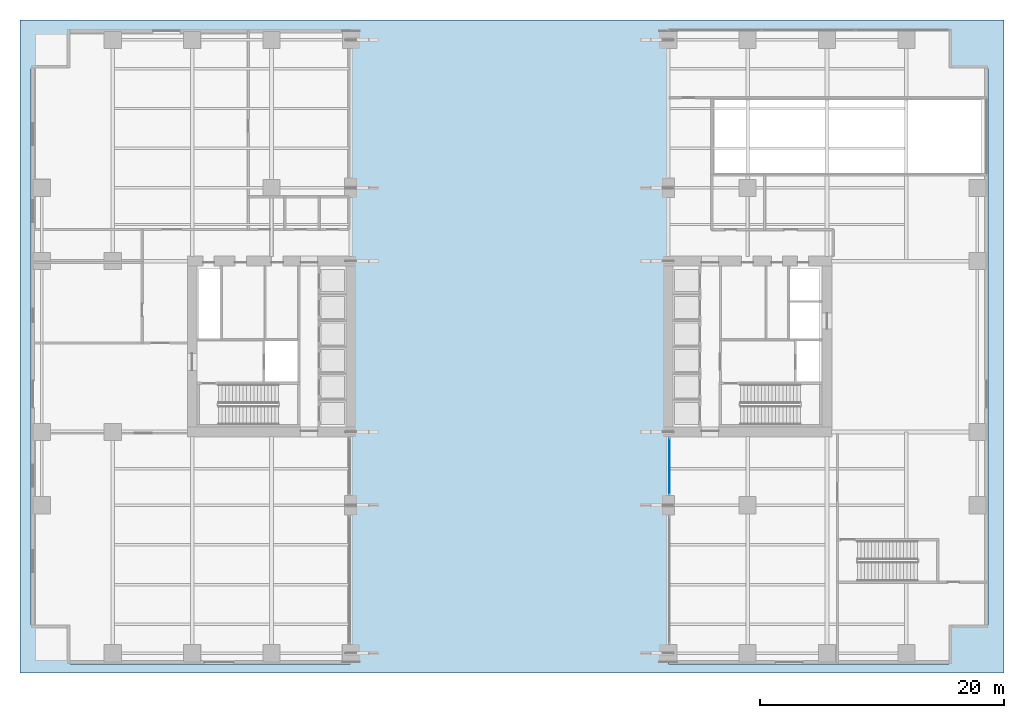
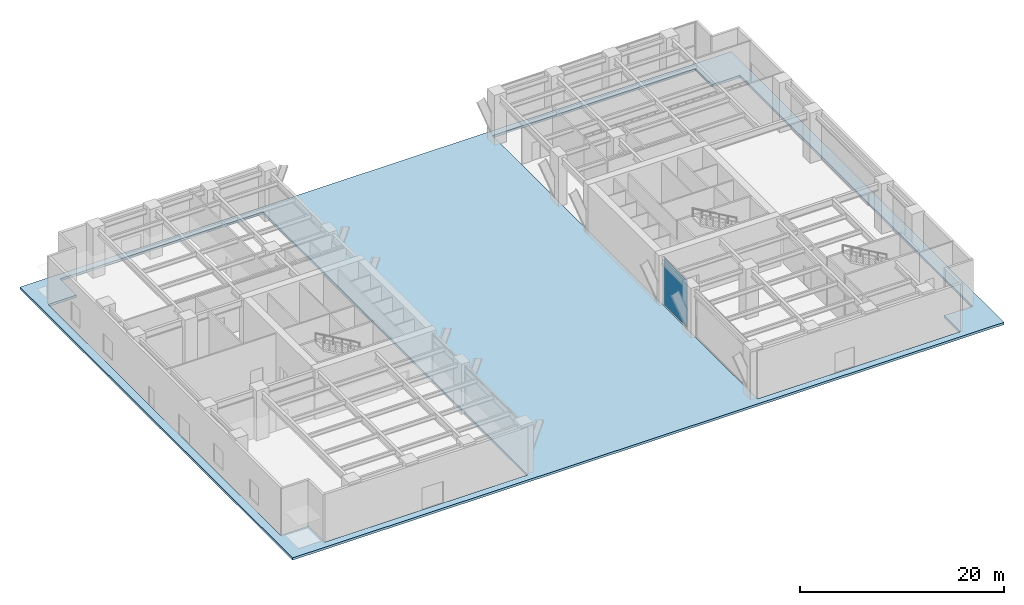
# One storey, part 10 of 20: 1 plate, 1 slab, 1 element without a shape of its own.
"""IFC4 building model written with IfcOpenShell, lengths in metres."""

from ifc_helpers import new_model, si_unit, direction, frame, origin, origin_2d, place, context, subcontext, project, spatial, polyline, rectangle, outline, extrude, material, layer, layer_set, type_object, element, aggregate, save


model = new_model("IFC4")

# Units and contexts
model_context = context("Model", 3, precision=1e-05, world=origin(), true_north=direction((0.0, 1.0)))
body_context = subcontext(model_context, "Body", "Model", "MODEL_VIEW")
ifc_project = project(units=[si_unit("LENGTHUNIT", "METRE"), si_unit("AREAUNIT", "SQUARE_METRE"), si_unit("VOLUMEUNIT", "CUBIC_METRE"), si_unit("PLANEANGLEUNIT", "RADIAN"), si_unit("MASSUNIT", "GRAM", prefix="KILO")], contexts=[model_context])

# Site, building, storey
site_placement = place(None, origin())
site = spatial("IfcSite", under=ifc_project, at=site_placement, CompositionType="ELEMENT")
building_placement = place(site_placement, origin())
building = spatial("IfcBuilding", under=site, at=building_placement, Name="Putna Gate Headquarters", CompositionType="ELEMENT")
storey_placement = place(building_placement, origin())
storey = spatial("IfcBuildingStorey", under=building, at=storey_placement, Name="L00", CompositionType="ELEMENT", Elevation=0.0)

# Curtain wall, plate
ifc_material_1 = material(Name="Anodised bronze aluminium curtain wall", Category="aluminium")
ifc_layer_1 = layer(ifc_material_1, 0.179931640625)
ifc_layer_set_1 = layer_set([ifc_layer_1], Name="Anodised bronze aluminium curtain wall")
curtain_wall_type = type_object("IfcCurtainWallType", Name="CW-SYS-ATR", PredefinedType="USERDEFINED", material=ifc_layer_set_1)
curtain_wall_placement = place(storey_placement, origin())
curtain_wall = element("IfcCurtainWall", 1, at=curtain_wall_placement, inside=storey, type_object=curtain_wall_type, Name="L00 Giant Arch East Lobby Glazing N", ObjectType="ATRIUM GLAZING", PredefinedType="USERDEFINED")
ifc_material_2 = material(Name="Clear low-iron triple glazing", Category="glass")
ifc_layer_2 = layer(ifc_material_2, 0.0400390625)
ifc_layer_set_2 = layer_set([ifc_layer_2], Name="Clear low-iron triple glazing")
plate_type = type_object("IfcPlateType", Name="PAN-CWP-AT", PredefinedType="CURTAIN_PANEL", material=ifc_layer_set_2)
plate_placement = place(storey_placement, frame((52.10009765625, 16.199951171875, 0.070068359375), z_axis=(0.0, 0.0, 1.0), x_axis=(0.0, 1.0, 0.0)))
plate = element("IfcPlate", 2, at=plate_placement, type_object=plate_type, Name="CWS-AT panel 1.1", PredefinedType="CURTAIN_PANEL", context=body_context, shape_type="SweptSolid", body=[
    extrude(rectangle(XDim=4.5, YDim=0.0400390625, at=origin_2d()), origin(), (0.0, 0.0, 1.0), 5.580078125),
])
aggregate(curtain_wall, [plate])

# Slab
ifc_material_3 = material(Name="Concrete C40/50", Category="concrete")
ifc_layer_3 = layer(ifc_material_3, 0.280029296875)
ifc_layer_set_3 = layer_set([ifc_layer_3], Name="Concrete C40/50")
slab_type = type_object("IfcSlabType", Name="SLAB-PLAZA-280", PredefinedType="USERDEFINED", material=ifc_layer_set_3)
slab_placement = place(storey_placement, frame((0.0, 0.0, -0.280029296875)))
element("IfcSlab", 3, at=slab_placement, inside=storey, type_object=slab_type, Name="L00 Giant Arch Pedestrian Plaza and Forecourt Paving", ObjectType="PAVING", PredefinedType="USERDEFINED", context=body_context, shape_type="SweptSolid", body=[
    extrude(outline(polyline([(-1.10009765625, -0.75), (79.5, -0.75), (79.5, 52.75), (-1.10009765625, 52.75), (-1.10009765625, -0.75)]), holes=[polyline([(3.010009765625, 0.010009765625), (25.989990234375, 0.010009765625), (25.989990234375, 51.989990234375), (3.010009765625, 51.989990234375), (3.010009765625, 48.7900390625), (-0.18994140625, 48.7900390625), (-0.18994140625, 3.2099609375), (3.010009765625, 3.2099609375), (3.010009765625, 0.010009765625)]), polyline([(52.010009765625, 0.010009765625), (74.989990234375, 0.010009765625), (74.989990234375, 3.2099609375), (78.18994140625, 3.2099609375), (78.18994140625, 48.7900390625), (74.989990234375, 48.7900390625), (74.989990234375, 51.989990234375), (52.010009765625, 51.989990234375), (52.010009765625, 0.010009765625)])]), origin(), (0.0, 0.0, 1.0), 0.280029296875),
])

save(model, "model.ifc")
